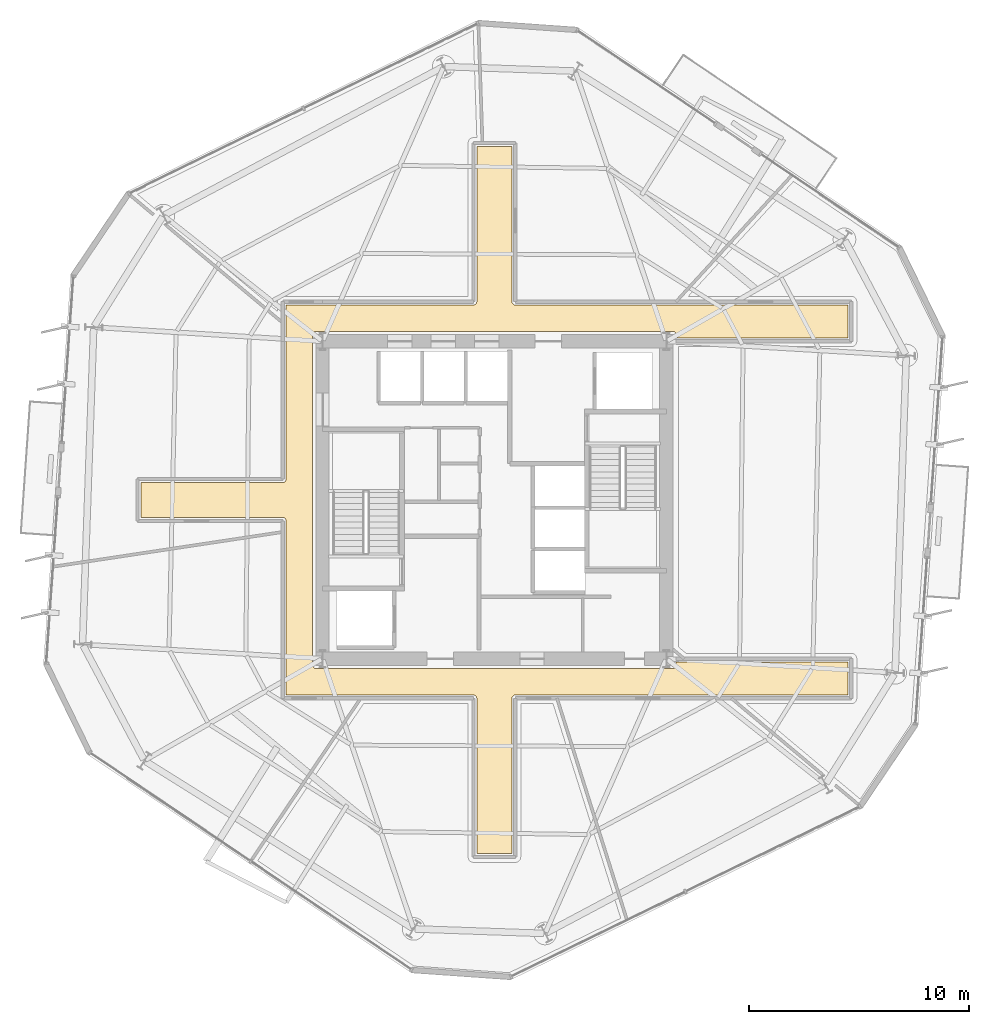
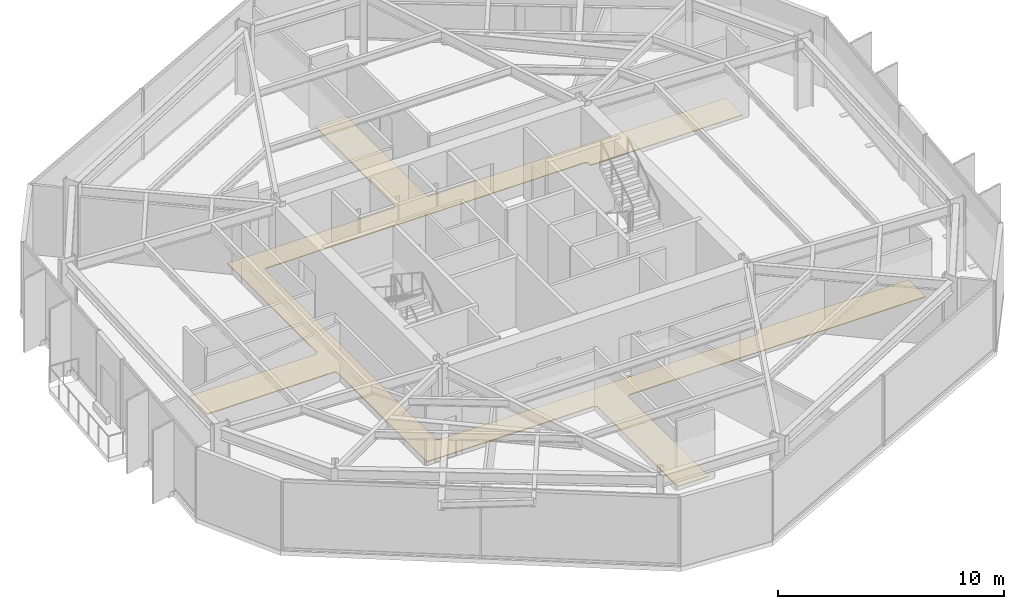
# One storey, part 12 of 14: 1 covering.
"""IFC4 building model written with IfcOpenShell, lengths in metres."""

from ifc_helpers import new_model, si_unit, direction, frame, origin, place, context, subcontext, project, spatial, polyline, outline, extrude, material, layer, layer_set, type_object, element, save


model = new_model("IFC4")

# Units and contexts
model_context = context("Model", 3, precision=1e-05, world=origin(), true_north=direction((0.0, 1.0)))
body_context = subcontext(model_context, "Body", "Model", "MODEL_VIEW")
ifc_project = project(units=[si_unit("LENGTHUNIT", "METRE"), si_unit("AREAUNIT", "SQUARE_METRE"), si_unit("VOLUMEUNIT", "CUBIC_METRE"), si_unit("PLANEANGLEUNIT", "RADIAN"), si_unit("MASSUNIT", "GRAM", prefix="KILO")], contexts=[model_context])

# Site, building, storey
site_placement = place(None, origin())
site = spatial("IfcSite", under=ifc_project, at=site_placement, CompositionType="ELEMENT")
building_placement = place(site_placement, origin())
building = spatial("IfcBuilding", under=site, at=building_placement, Name="Kranzbogen Civic Tower", CompositionType="ELEMENT")
storey_placement = place(building_placement, frame((0.0, 0.0, 126.39990234375)))
storey = spatial("IfcBuildingStorey", under=building, at=storey_placement, Name="L30", CompositionType="ELEMENT", Elevation=126.39990234375)

# Covering
ifc_material = material(Name="Honed Natural Stone Flooring", Category="masonry")
ifc_layer = layer(ifc_material, 0.0400390625, Name="Honed Natural Stone Flooring")
ifc_layer_set = layer_set([ifc_layer], Name="Honed Natural Stone Flooring")
covering_type = type_object("IfcCoveringType", Name="Honed Limestone Lobby Flooring 40 mm", PredefinedType="FLOORING", material=ifc_layer_set)
covering_placement = place(storey_placement, origin())
element("IfcCovering", 1, at=covering_placement, inside=storey, type_object=covering_type, Name="L30 concourse stone flooring 1", PredefinedType="FLOORING", context=body_context, shape_type="SweptSolid", body=[
    extrude(outline(polyline([(15.550048828125, 16.14990234375), (15.550048828125, 24.050048828125), (15.549072265625, 24.06494140625), (15.547119140625, 24.0791015625), (15.5439453125, 24.093994140625), (15.5390625, 24.10693359375), (15.531982421875, 24.12109375), (15.52490234375, 24.133056640625), (15.51611328125, 24.14501953125), (15.506103515625, 24.156005859375), (15.4951171875, 24.166015625), (15.48291015625, 24.175048828125), (15.470947265625, 24.181884765625), (15.45703125, 24.18896484375), (15.444091796875, 24.194091796875), (15.428955078125, 24.197021484375), (15.4150390625, 24.198974609375), (15.39990234375, 24.199951171875), (8.949951171875, 24.199951171875), (8.949951171875, 25.800048828125), (15.39990234375, 25.800048828125), (15.4150390625, 25.801025390625), (15.428955078125, 25.802978515625), (15.444091796875, 25.805908203125), (15.45703125, 25.81103515625), (15.470947265625, 25.818115234375), (15.48291015625, 25.824951171875), (15.4951171875, 25.833984375), (15.506103515625, 25.843994140625), (15.51611328125, 25.85498046875), (15.52490234375, 25.866943359375), (15.531982421875, 25.87890625), (15.5390625, 25.89306640625), (15.5439453125, 25.906005859375), (15.547119140625, 25.9208984375), (15.549072265625, 25.93505859375), (15.550048828125, 25.949951171875), (15.550048828125, 33.85009765625), (24.050048828125, 33.85009765625), (24.06494140625, 33.85107421875), (24.0791015625, 33.85302734375), (24.093994140625, 33.85595703125), (24.10693359375, 33.861083984375), (24.12109375, 33.867919921875), (24.133056640625, 33.875), (24.14501953125, 33.884033203125), (24.156005859375, 33.89404296875), (24.166015625, 33.905029296875), (24.175048828125, 33.9169921875), (24.181884765625, 33.928955078125), (24.18896484375, 33.943115234375), (24.194091796875, 33.9560546875), (24.197021484375, 33.970947265625), (24.198974609375, 33.985107421875), (24.199951171875, 34.0), (24.199951171875, 41.050048828125), (25.800048828125, 41.050048828125), (25.800048828125, 34.0), (25.801025390625, 33.985107421875), (25.802978515625, 33.970947265625), (25.805908203125, 33.9560546875), (25.81103515625, 33.943115234375), (25.818115234375, 33.928955078125), (25.824951171875, 33.9169921875), (25.833984375, 33.905029296875), (25.843994140625, 33.89404296875), (25.85498046875, 33.884033203125), (25.866943359375, 33.875), (25.87890625, 33.867919921875), (25.89306640625, 33.861083984375), (25.906005859375, 33.85595703125), (25.9208984375, 33.85302734375), (25.93505859375, 33.85107421875), (25.949951171875, 33.85009765625), (41.050048828125, 33.85009765625), (41.050048828125, 32.35009765625), (33.25, 32.35009765625), (33.25, 32.5), (33.2490234375, 32.514892578125), (33.2470703125, 32.529052734375), (33.243896484375, 32.5439453125), (33.239013671875, 32.556884765625), (33.23193359375, 32.571044921875), (33.22509765625, 32.5830078125), (33.216064453125, 32.594970703125), (33.2060546875, 32.60595703125), (33.195068359375, 32.615966796875), (33.18310546875, 32.625), (33.1708984375, 32.632080078125), (33.156982421875, 32.638916015625), (33.14404296875, 32.64404296875), (33.12890625, 32.64697265625), (33.114990234375, 32.64892578125), (33.10009765625, 32.64990234375), (16.89990234375, 32.64990234375), (16.885009765625, 32.64892578125), (16.87109375, 32.64697265625), (16.85595703125, 32.64404296875), (16.843017578125, 32.638916015625), (16.8291015625, 32.632080078125), (16.81689453125, 32.625), (16.804931640625, 32.615966796875), (16.7939453125, 32.60595703125), (16.783935546875, 32.594970703125), (16.77490234375, 32.5830078125), (16.76806640625, 32.571044921875), (16.760986328125, 32.556884765625), (16.756103515625, 32.5439453125), (16.7529296875, 32.529052734375), (16.7509765625, 32.514892578125), (16.75, 32.5), (16.75, 17.5), (16.7509765625, 17.485107421875), (16.7529296875, 17.470947265625), (16.756103515625, 17.4560546875), (16.760986328125, 17.443115234375), (16.76806640625, 17.428955078125), (16.77490234375, 17.4169921875), (16.783935546875, 17.405029296875), (16.7939453125, 17.39404296875), (16.804931640625, 17.384033203125), (16.81689453125, 17.375), (16.8291015625, 17.367919921875), (16.843017578125, 17.361083984375), (16.85595703125, 17.35595703125), (16.87109375, 17.35302734375), (16.885009765625, 17.35107421875), (16.89990234375, 17.35009765625), (33.10009765625, 17.35009765625), (33.114990234375, 17.35107421875), (33.12890625, 17.35302734375), (33.14404296875, 17.35595703125), (33.156982421875, 17.361083984375), (33.1708984375, 17.367919921875), (33.18310546875, 17.375), (33.195068359375, 17.384033203125), (33.2060546875, 17.39404296875), (33.216064453125, 17.405029296875), (33.22509765625, 17.4169921875), (33.23193359375, 17.428955078125), (33.239013671875, 17.443115234375), (33.243896484375, 17.4560546875), (33.2470703125, 17.470947265625), (33.2490234375, 17.485107421875), (33.25, 17.5), (33.25, 17.64990234375), (41.050048828125, 17.64990234375), (41.050048828125, 16.14990234375), (25.949951171875, 16.14990234375), (25.93505859375, 16.14892578125), (25.9208984375, 16.14697265625), (25.906005859375, 16.14404296875), (25.89306640625, 16.138916015625), (25.87890625, 16.132080078125), (25.866943359375, 16.125), (25.85498046875, 16.115966796875), (25.843994140625, 16.10595703125), (25.833984375, 16.094970703125), (25.824951171875, 16.0830078125), (25.818115234375, 16.071044921875), (25.81103515625, 16.056884765625), (25.805908203125, 16.0439453125), (25.802978515625, 16.029052734375), (25.801025390625, 16.014892578125), (25.800048828125, 16.0), (25.800048828125, 8.949951171875), (24.199951171875, 8.949951171875), (24.199951171875, 16.0), (24.198974609375, 16.014892578125), (24.197021484375, 16.029052734375), (24.194091796875, 16.0439453125), (24.18896484375, 16.056884765625), (24.181884765625, 16.071044921875), (24.175048828125, 16.0830078125), (24.166015625, 16.094970703125), (24.156005859375, 16.10595703125), (24.14501953125, 16.115966796875), (24.133056640625, 16.125), (24.12109375, 16.132080078125), (24.10693359375, 16.138916015625), (24.093994140625, 16.14404296875), (24.0791015625, 16.14697265625), (24.06494140625, 16.14892578125), (24.050048828125, 16.14990234375), (15.550048828125, 16.14990234375)])), origin(), (0.0, 0.0, 1.0), 0.0400390625),
])

save(model, "model.ifc")
